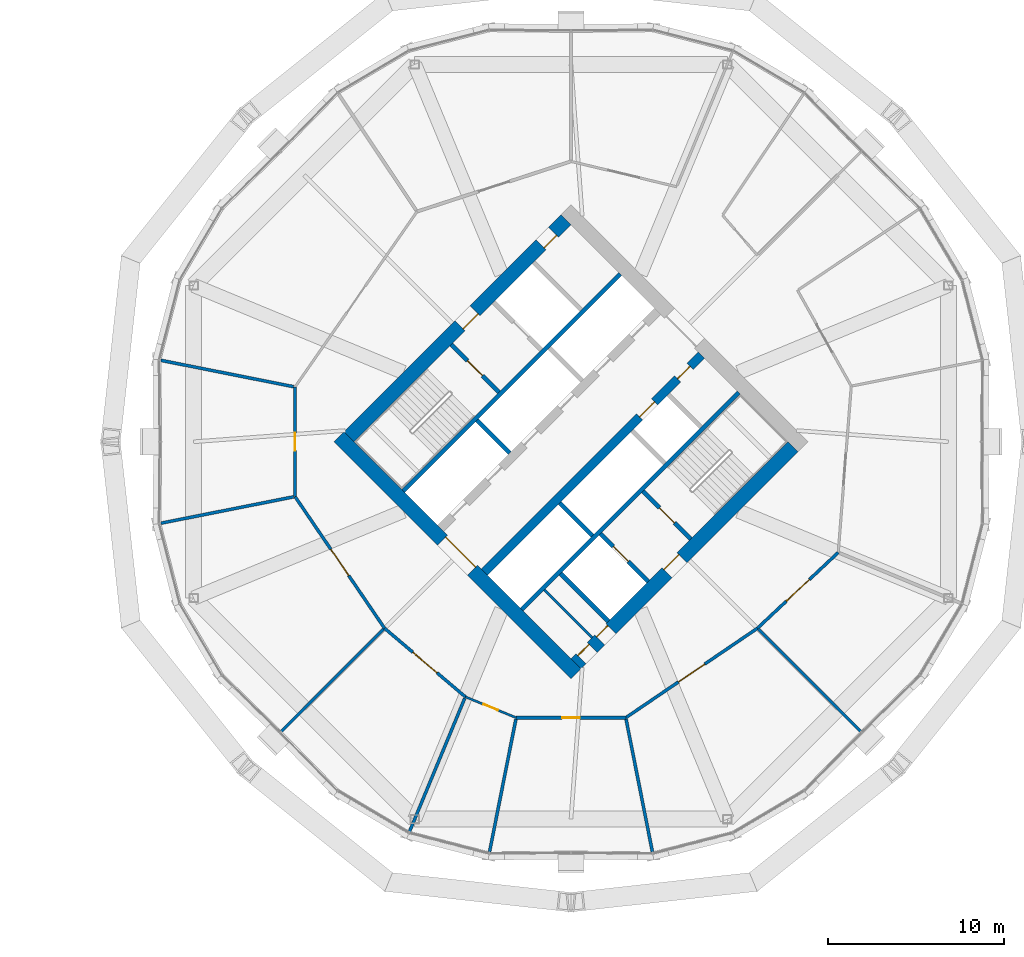
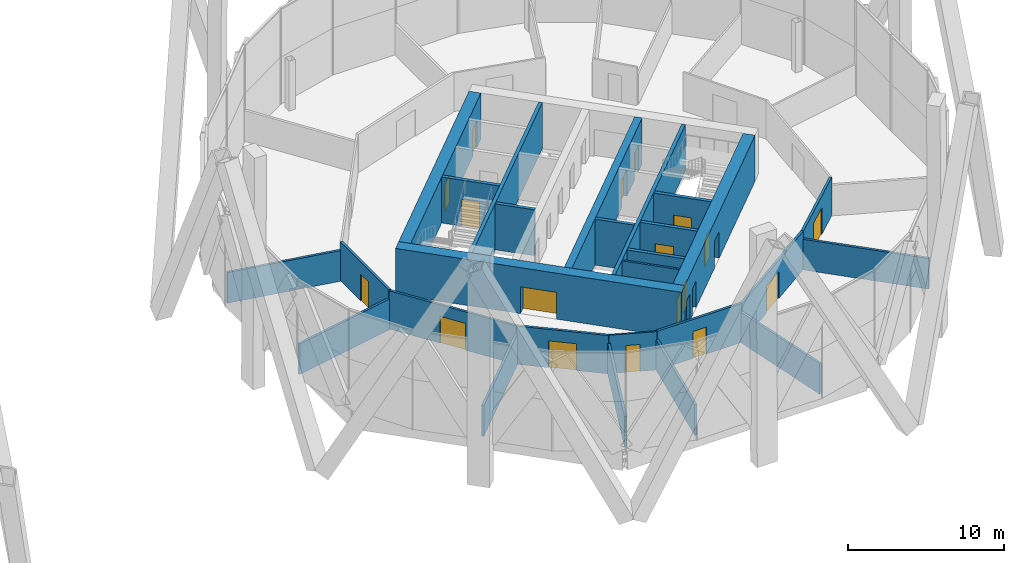
# One storey, part 24 of 30: 27 walls, 18 doors, 18 openings.
"""IFC4 building model written with IfcOpenShell, lengths in metres."""

from ifc_helpers import new_model, si_unit, direction, frame, frame_2d, origin, place, context, subcontext, project, spatial, rectangle, extrude, material, layer, layer_set, type_object, element, fill, save


model = new_model("IFC4")

# Units and contexts
model_context = context("Model", 3, precision=1e-05, world=origin(), true_north=direction((0.0, 1.0)))
body_context = subcontext(model_context, "Body", "Model", "MODEL_VIEW")
ifc_project = project(units=[si_unit("LENGTHUNIT", "METRE"), si_unit("AREAUNIT", "SQUARE_METRE"), si_unit("VOLUMEUNIT", "CUBIC_METRE"), si_unit("PLANEANGLEUNIT", "RADIAN"), si_unit("MASSUNIT", "GRAM", prefix="KILO")], contexts=[model_context])

# Site, building, storey
site_placement = place(None, origin())
site = spatial("IfcSite", under=ifc_project, at=site_placement, CompositionType="ELEMENT")
building_placement = place(site_placement, origin())
building = spatial("IfcBuilding", under=site, at=building_placement, Name="Ogive Gate Towers", CompositionType="ELEMENT")
storey_placement = place(building_placement, frame((0.0, 0.0, 99.60009765625)))
storey = spatial("IfcBuildingStorey", under=building, at=storey_placement, Name="L23", CompositionType="ELEMENT", Elevation=99.60009765625)

# Walls
ifc_material_1 = material(Name="Gypsum board acoustic partition")
ifc_layer_1 = layer(ifc_material_1, 0.175048828125)
ifc_layer_set_1 = layer_set([ifc_layer_1], Name="Acoustic partition 175")
wall_type_1 = type_object("IfcWallType", Name="Acoustic partition 175", PredefinedType="PARTITIONING", material=ifc_layer_set_1)
for number, where, z_axis, x_axis, name in (
    (1, (12.74462890625, 4.6181640625, 0.0), (0.0, 0.0, 1.0), (0.980847919534, -0.1947751492, 0.0), "Partition T2-L23-008"),
    (2, (12.74462890625, -4.6181640625, 0.0), (0.0, 0.0, 1.0), (0.980847919534, 0.1947751492, 0.0), "Partition T2-L23-009"),
):
    element("IfcWall", number, at=place(storey_placement, frame(where, z_axis=z_axis, x_axis=x_axis)), inside=storey, type_object=wall_type_1, Name=name, PredefinedType="PARTITIONING", context=body_context, shape_type="SweptSolid", body=[
        extrude(rectangle(XDim=7.668701171875, YDim=0.175048828125, at=frame_2d((3.83447265625, 0.0))), origin(), (0.0, 0.0, 1.0), 2.39990234375),
    ])
wall_1_placement = place(storey_placement, frame((19.478759765625, -16.521240234375, 0.0), z_axis=(0.0, 0.0, 1.0), x_axis=(0.707106781187, 0.707106781187, 0.0)))
element("IfcWall", 3, at=wall_1_placement, inside=storey, type_object=wall_type_1, Name="Partition T2-L23-010", PredefinedType="PARTITIONING", context=body_context, shape_type="SweptSolid", body=[
    extrude(rectangle(XDim=8.323974609375, YDim=0.175048828125, at=frame_2d((4.162109375, 0.0))), origin(), (0.0, 0.0, 1.0), 2.39990234375),
])
wall_2_placement = place(storey_placement, frame((26.818115234375, -22.1669921875, 0.0), z_axis=(0.0, 0.0, 1.0), x_axis=(0.382692348895, 0.923875839113, 0.0)))
element("IfcWall", 4, at=wall_2_placement, inside=storey, type_object=wall_type_1, Name="Partition T2-L23-011", PredefinedType="PARTITIONING", context=body_context, shape_type="SweptSolid", body=[
    extrude(rectangle(XDim=8.251953125, YDim=0.175048828125, at=frame_2d((4.1259765625, 0.0))), origin(), (0.0, 0.0, 1.0), 2.39990234375),
])
for number, where, z_axis, x_axis, name in (
    (5, (31.3818359375, -23.25537109375, 0.0), (0.0, 0.0, 1.0), (0.1947751492, 0.980847919534, 0.0), "Partition T2-L23-012"),
    (6, (40.6181640625, -23.25537109375, 0.0), (0.0, 0.0, 1.0), (-0.1947751492, 0.980847919534, 0.0), "Partition T2-L23-013"),
):
    element("IfcWall", number, at=place(storey_placement, frame(where, z_axis=z_axis, x_axis=x_axis)), inside=storey, type_object=wall_type_1, Name=name, PredefinedType="PARTITIONING", context=body_context, shape_type="SweptSolid", body=[
        extrude(rectangle(XDim=7.668701171875, YDim=0.175048828125, at=frame_2d((3.83447265625, 0.0))), origin(), (0.0, 0.0, 1.0), 2.39990234375),
    ])
wall_3_placement = place(storey_placement, frame((52.521240234375, -16.521240234375, 0.0), z_axis=(0.0, 0.0, 1.0), x_axis=(-0.707106781187, 0.707106781187, 0.0)))
element("IfcWall", 7, at=wall_3_placement, inside=storey, type_object=wall_type_1, Name="Partition T2-L23-014", PredefinedType="PARTITIONING", context=body_context, shape_type="SweptSolid", body=[
    extrude(rectangle(XDim=8.323974609375, YDim=0.175048828125, at=frame_2d((4.162109375, 0.0))), origin(), (0.0, 0.0, 1.0), 2.39990234375),
])

# Wall, opening, door
wall_4_placement = place(storey_placement, frame((20.35205078125, 3.107421875, 0.0), z_axis=(0.0, 0.0, 1.0), x_axis=(0.0, -1.0, 0.0)))
wall_4 = element("IfcWall", 8, at=wall_4_placement, inside=storey, type_object=wall_type_1, Name="Partition T2-L23-020", PredefinedType="PARTITIONING", context=body_context, shape_type="SweptSolid", body=[
    extrude(rectangle(XDim=6.21484375, YDim=0.175048828125, at=frame_2d((3.107421875, 0.0))), origin(), (0.0, 0.0, 1.0), 3.0498046875),
])
opening_1_placement = place(wall_4_placement, frame((2.60693359375, 0.0, 0.0)))
opening_1 = element("IfcOpeningElement", 9, at=opening_1_placement, cuts=wall_4, Name="Opening T2-L23-D05", PredefinedType="OPENING", context=body_context, shape_type="SweptSolid", body=[
    extrude(rectangle(XDim=1.0, YDim=2.10009765625, at=frame_2d((0.5, 1.050048828125))), frame((0.0, 0.09765625, 0.0), z_axis=(0.0, -1.0, 0.0), x_axis=(1.0, 0.0, 0.0)), (0.0, 0.0, 1.0), 0.195068359375),
])
ifc_material_2 = material(Name="Timber door", Category="wood")
door_type_1 = type_object("IfcDoorType", Name="Door 1000", OperationType="NOTDEFINED", PredefinedType="DOOR", material=ifc_material_2)
door_1_placement = place(opening_1_placement, origin())
door_1 = element("IfcDoor", 10, at=door_1_placement, inside=storey, type_object=door_type_1, Name="Door T2-L23-D05", OperationType="SINGLE_SWING_RIGHT", OverallHeight=2.10009765625, OverallWidth=1.0, PredefinedType="DOOR", context=body_context, shape_type="SweptSolid", body=[
    extrude(rectangle(XDim=1.0, YDim=2.10009765625, at=frame_2d((0.5, 1.050048828125))), frame((0.0, 0.02490234375, 0.0), z_axis=(0.0, -1.0, 0.0), x_axis=(1.0, 0.0, 0.0)), (0.0, 0.0, 1.0), 0.050048828125),
])
fill(opening_1, door_1)

wall_5_placement = place(storey_placement, frame((20.35205078125, -3.107421875, 0.0), z_axis=(0.0, 0.0, 1.0), x_axis=(0.562123594144, -0.827053241882, 0.0)))
wall_5 = element("IfcWall", 11, at=wall_5_placement, inside=storey, type_object=wall_type_1, Name="Partition T2-L23-021", PredefinedType="PARTITIONING", context=body_context, shape_type="SweptSolid", body=[
    extrude(rectangle(XDim=9.02734375, YDim=0.175048828125, at=frame_2d((4.513671875, 0.0))), origin(), (0.0, 0.0, 1.0), 3.0),
])
opening_2_placement = place(wall_5_placement, frame((3.614013671875, 0.0, 0.0)))
opening_2 = element("IfcOpeningElement", 12, at=opening_2_placement, cuts=wall_5, Name="Opening T2-L23-D06", PredefinedType="OPENING", context=body_context, shape_type="SweptSolid", body=[
    extrude(rectangle(XDim=1.800048828125, YDim=2.10009765625, at=frame_2d((0.89990234375, 1.050048828125))), frame((0.0, 0.09765625, 0.0), z_axis=(0.0, -1.0, 0.0), x_axis=(1.0, 0.0, 0.0)), (0.0, 0.0, 1.0), 0.195068359375),
])
door_type_2 = type_object("IfcDoorType", Name="Door pair 1800", OperationType="NOTDEFINED", PredefinedType="DOOR", material=ifc_material_2)
door_2_placement = place(opening_2_placement, origin())
door_2 = element("IfcDoor", 13, at=door_2_placement, inside=storey, type_object=door_type_2, Name="Door T2-L23-D06", OperationType="DOUBLE_DOOR_DOUBLE_SWING", OverallHeight=2.10009765625, OverallWidth=1.800048828125, PredefinedType="DOOR", context=body_context, shape_type="SweptSolid", body=[
    extrude(rectangle(XDim=1.800048828125, YDim=2.10009765625, at=frame_2d((0.89990234375, 1.050048828125))), frame((0.0, 0.02490234375, 0.0), z_axis=(0.0, -1.0, 0.0), x_axis=(1.0, 0.0, 0.0)), (0.0, 0.0, 1.0), 0.050048828125),
])
fill(opening_2, door_2)

wall_6_placement = place(storey_placement, frame((25.426513671875, -10.573486328125, 0.0), z_axis=(0.0, 0.0, 1.0), x_axis=(0.762484239103, -0.647006789083, 0.0)))
wall_6 = element("IfcWall", 14, at=wall_6_placement, inside=storey, type_object=wall_type_1, Name="Partition T2-L23-022", PredefinedType="PARTITIONING", context=body_context, shape_type="SweptSolid", body=[
    extrude(rectangle(XDim=6.0107421875, YDim=0.175048828125, at=frame_2d((3.00537109375, 0.0))), origin(), (0.0, 0.0, 1.0), 3.0),
])
opening_3_placement = place(wall_6_placement, frame((2.10498046875, 0.0, 0.0)))
opening_3 = element("IfcOpeningElement", 15, at=opening_3_placement, cuts=wall_6, Name="Opening T2-L23-D07", PredefinedType="OPENING", context=body_context, shape_type="SweptSolid", body=[
    extrude(rectangle(XDim=1.800048828125, YDim=2.10009765625, at=frame_2d((0.89990234375, 1.050048828125))), frame((0.0, 0.09765625, 0.0), z_axis=(0.0, -1.0, 0.0), x_axis=(1.0, 0.0, 0.0)), (0.0, 0.0, 1.0), 0.195068359375),
])
door_3_placement = place(opening_3_placement, origin())
door_3 = element("IfcDoor", 16, at=door_3_placement, inside=storey, type_object=door_type_2, Name="Door T2-L23-D07", OperationType="DOUBLE_DOOR_DOUBLE_SWING", OverallHeight=2.10009765625, OverallWidth=1.800048828125, PredefinedType="DOOR", context=body_context, shape_type="SweptSolid", body=[
    extrude(rectangle(XDim=1.800048828125, YDim=2.10009765625, at=frame_2d((0.89990234375, 1.050048828125))), frame((0.0, 0.02490234375, 0.0), z_axis=(0.0, -1.0, 0.0), x_axis=(1.0, 0.0, 0.0)), (0.0, 0.0, 1.0), 0.050048828125),
])
fill(opening_3, door_3)

wall_7_placement = place(storey_placement, frame((32.892578125, -15.64794921875, 0.0), z_axis=(0.0, 0.0, 1.0), x_axis=(1.0, 0.0, 0.0)))
wall_7 = element("IfcWall", 17, at=wall_7_placement, inside=storey, type_object=wall_type_1, Name="Partition T2-L23-024", PredefinedType="PARTITIONING", context=body_context, shape_type="SweptSolid", body=[
    extrude(rectangle(XDim=6.21484375, YDim=0.175048828125, at=frame_2d((3.107421875, 0.0))), origin(), (0.0, 0.0, 1.0), 3.0498046875),
])
opening_4_placement = place(wall_7_placement, frame((2.60693359375, 0.0, 0.0)))
opening_4 = element("IfcOpeningElement", 18, at=opening_4_placement, cuts=wall_7, Name="Opening T2-L23-D09", PredefinedType="OPENING", context=body_context, shape_type="SweptSolid", body=[
    extrude(rectangle(XDim=1.0, YDim=2.10009765625, at=frame_2d((0.5, 1.050048828125))), frame((0.0, 0.09765625, 0.0), z_axis=(0.0, -1.0, 0.0), x_axis=(1.0, 0.0, 0.0)), (0.0, 0.0, 1.0), 0.195068359375),
])
door_4_placement = place(opening_4_placement, origin())
door_4 = element("IfcDoor", 19, at=door_4_placement, inside=storey, type_object=door_type_1, Name="Door T2-L23-D09", OperationType="SINGLE_SWING_RIGHT", OverallHeight=2.10009765625, OverallWidth=1.0, PredefinedType="DOOR", context=body_context, shape_type="SweptSolid", body=[
    extrude(rectangle(XDim=1.0, YDim=2.10009765625, at=frame_2d((0.5, 1.050048828125))), frame((0.0, 0.02490234375, 0.0), z_axis=(0.0, -1.0, 0.0), x_axis=(1.0, 0.0, 0.0)), (0.0, 0.0, 1.0), 0.050048828125),
])
fill(opening_4, door_4)

wall_8_placement = place(storey_placement, frame((39.107421875, -15.64794921875, 0.0), z_axis=(0.0, 0.0, 1.0), x_axis=(0.827053241882, 0.562123594144, 0.0)))
wall_8 = element("IfcWall", 20, at=wall_8_placement, inside=storey, type_object=wall_type_1, Name="Partition T2-L23-025", PredefinedType="PARTITIONING", context=body_context, shape_type="SweptSolid", body=[
    extrude(rectangle(XDim=9.02734375, YDim=0.175048828125, at=frame_2d((4.513671875, 0.0))), origin(), (0.0, 0.0, 1.0), 3.0),
])
opening_5_placement = place(wall_8_placement, frame((3.614013671875, 0.0, 0.0)))
opening_5 = element("IfcOpeningElement", 21, at=opening_5_placement, cuts=wall_8, Name="Opening T2-L23-D10", PredefinedType="OPENING", context=body_context, shape_type="SweptSolid", body=[
    extrude(rectangle(XDim=1.800048828125, YDim=2.10009765625, at=frame_2d((0.89990234375, 1.050048828125))), frame((0.0, 0.09765625, 0.0), z_axis=(0.0, -1.0, 0.0), x_axis=(1.0, 0.0, 0.0)), (0.0, 0.0, 1.0), 0.195068359375),
])
door_5_placement = place(opening_5_placement, origin())
door_5 = element("IfcDoor", 22, at=door_5_placement, inside=storey, type_object=door_type_2, Name="Door T2-L23-D10", OperationType="DOUBLE_DOOR_DOUBLE_SWING", OverallHeight=2.10009765625, OverallWidth=1.800048828125, PredefinedType="DOOR", context=body_context, shape_type="SweptSolid", body=[
    extrude(rectangle(XDim=1.800048828125, YDim=2.10009765625, at=frame_2d((0.89990234375, 1.050048828125))), frame((0.0, 0.02490234375, 0.0), z_axis=(0.0, -1.0, 0.0), x_axis=(1.0, 0.0, 0.0)), (0.0, 0.0, 1.0), 0.050048828125),
])
fill(opening_5, door_5)

wall_9_placement = place(storey_placement, frame((46.573486328125, -10.573486328125, 0.0), z_axis=(0.0, 0.0, 1.0), x_axis=(0.729499624655, 0.683981211458, 0.0)))
wall_9 = element("IfcWall", 23, at=wall_9_placement, inside=storey, type_object=wall_type_1, Name="Partition T2-L23-026", PredefinedType="PARTITIONING", context=body_context, shape_type="SweptSolid", body=[
    extrude(rectangle(XDim=6.28076171875, YDim=0.175048828125, at=frame_2d((3.140380859375, 0.0))), origin(), (0.0, 0.0, 1.0), 3.0),
])
opening_6_placement = place(wall_9_placement, frame((2.239990234375, 0.0, 0.0)))
opening_6 = element("IfcOpeningElement", 24, at=opening_6_placement, cuts=wall_9, Name="Opening T2-L23-D11", PredefinedType="OPENING", context=body_context, shape_type="SweptSolid", body=[
    extrude(rectangle(XDim=1.800048828125, YDim=2.10009765625, at=frame_2d((0.89990234375, 1.050048828125))), frame((0.0, 0.09765625, 0.0), z_axis=(0.0, -1.0, 0.0), x_axis=(1.0, 0.0, 0.0)), (0.0, 0.0, 1.0), 0.195068359375),
])
door_6_placement = place(opening_6_placement, origin())
door_6 = element("IfcDoor", 25, at=door_6_placement, inside=storey, type_object=door_type_2, Name="Door T2-L23-D11", OperationType="DOUBLE_DOOR_DOUBLE_SWING", OverallHeight=2.10009765625, OverallWidth=1.800048828125, PredefinedType="DOOR", context=body_context, shape_type="SweptSolid", body=[
    extrude(rectangle(XDim=1.800048828125, YDim=2.10009765625, at=frame_2d((0.89990234375, 1.050048828125))), frame((0.0, 0.02490234375, 0.0), z_axis=(0.0, -1.0, 0.0), x_axis=(1.0, 0.0, 0.0)), (0.0, 0.0, 1.0), 0.050048828125),
])
fill(opening_6, door_6)

# Wall, openings, doors
ifc_material_3 = material(Name="Concrete C60/75", Category="concrete")
ifc_layer_2 = layer(ifc_material_3, 0.800048828125)
ifc_layer_set_2 = layer_set([ifc_layer_2], Name="Core wall 800 mm")
wall_type_2 = type_object("IfcWallType", Name="Core wall 800 mm", PredefinedType="SHEAR", material=ifc_layer_set_2)
wall_10_placement = place(storey_placement, frame((36.28271484375, -12.58642578125, 0.0), z_axis=(0.0, 0.0, 1.0), x_axis=(0.707106781187, 0.707106781187, 0.0)))
wall_10 = element("IfcWall", 26, at=wall_10_placement, inside=storey, type_object=wall_type_2, Name="T2 L23 Core wall 800 mm", PredefinedType="SHEAR", context=body_context, shape_type="SweptSolid", body=[
    extrude(rectangle(XDim=17.400146484375, YDim=0.800048828125, at=frame_2d((8.7001953125, 0.0))), origin(), (0.0, 0.0, 1.0), 3.599853515625),
])
opening_7_placement = place(wall_10_placement, frame((7.300048828125, 0.0, 0.0)))
opening_7 = element("IfcOpeningElement", 27, at=opening_7_placement, cuts=wall_10, Name="Opening KD-T2-L23-16", PredefinedType="OPENING", context=body_context, shape_type="SweptSolid", body=[
    extrude(rectangle(XDim=1.199951171875, YDim=2.10009765625, at=frame_2d((0.60009765625, 1.050048828125))), frame((0.0, 0.41015625, 0.0), z_axis=(0.0, -1.0, 0.0), x_axis=(1.0, 0.0, 0.0)), (0.0, 0.0, 1.0), 0.820068359375),
])
opening_8_placement = place(wall_10_placement, frame((0.39990234375, 0.0, 0.0)))
opening_8 = element("IfcOpeningElement", 28, at=opening_8_placement, cuts=wall_10, Name="Opening KD-T2-L23-18", PredefinedType="OPENING", context=body_context, shape_type="SweptSolid", body=[
    extrude(rectangle(XDim=0.89990234375, YDim=2.10009765625, at=frame_2d((0.449951171875, 1.050048828125))), frame((0.0, 0.41015625, 0.0), z_axis=(0.0, -1.0, 0.0), x_axis=(1.0, 0.0, 0.0)), (0.0, 0.0, 1.0), 0.820068359375),
])
opening_9_placement = place(wall_10_placement, frame((1.89990234375, 0.0, 0.0)))
opening_9 = element("IfcOpeningElement", 29, at=opening_9_placement, cuts=wall_10, Name="Opening KD-T2-L23-19", PredefinedType="OPENING", context=body_context, shape_type="SweptSolid", body=[
    extrude(rectangle(XDim=0.89990234375, YDim=2.10009765625, at=frame_2d((0.449951171875, 1.050048828125))), frame((0.0, 0.41015625, 0.0), z_axis=(0.0, -1.0, 0.0), x_axis=(1.0, 0.0, 0.0)), (0.0, 0.0, 1.0), 0.820068359375),
])
door_type_3 = type_object("IfcDoorType", Name="Core WC door 900 x 2100", OperationType="NOTDEFINED", PredefinedType="DOOR", material=ifc_material_2)
door_7_placement = place(opening_8_placement, origin())
door_7 = element("IfcDoor", 30, at=door_7_placement, inside=storey, type_object=door_type_3, Name="T2 L23 Core door", OperationType="SINGLE_SWING_LEFT", OverallHeight=2.10009765625, OverallWidth=0.89990234375, PredefinedType="DOOR", context=body_context, shape_type="SweptSolid", body=[
    extrude(rectangle(XDim=0.89990234375, YDim=2.10009765625, at=frame_2d((0.449951171875, 1.050048828125))), frame((0.0, 0.27490234375, 0.0), z_axis=(0.0, -1.0, 0.0), x_axis=(1.0, 0.0, 0.0)), (0.0, 0.0, 1.0), 0.050048828125),
])
fill(opening_8, door_7)
door_8_placement = place(opening_9_placement, origin())
door_8 = element("IfcDoor", 31, at=door_8_placement, inside=storey, type_object=door_type_3, Name="T2 L23 Core door", OperationType="SINGLE_SWING_RIGHT", OverallHeight=2.10009765625, OverallWidth=0.89990234375, PredefinedType="DOOR", context=body_context, shape_type="SweptSolid", body=[
    extrude(rectangle(XDim=0.89990234375, YDim=2.10009765625, at=frame_2d((0.449951171875, 1.050048828125))), frame((0.0, 0.27490234375, 0.0), z_axis=(0.0, -1.0, 0.0), x_axis=(1.0, 0.0, 0.0)), (0.0, 0.0, 1.0), 0.050048828125),
])
fill(opening_9, door_8)
ifc_material_4 = material(Name="Steel fire door", Category="steel")
door_type_4 = type_object("IfcDoorType", Name="Core door FD60S 1200 x 2100", OperationType="NOTDEFINED", PredefinedType="DOOR", material=ifc_material_4)
door_9_placement = place(opening_7_placement, origin())
door_9 = element("IfcDoor", 32, at=door_9_placement, inside=storey, type_object=door_type_4, Name="T2 L23 Fire-fighting lobby door", OperationType="SINGLE_SWING_LEFT", OverallHeight=2.10009765625, OverallWidth=1.199951171875, PredefinedType="DOOR", context=body_context, shape_type="SweptSolid", body=[
    extrude(rectangle(XDim=1.199951171875, YDim=2.10009765625, at=frame_2d((0.60009765625, 1.050048828125))), frame((0.0, 0.27490234375, 0.0), z_axis=(0.0, -1.0, 0.0), x_axis=(1.0, 0.0, 0.0)), (0.0, 0.0, 1.0), 0.050048828125),
])
fill(opening_7, door_9)

wall_11_placement = place(storey_placement, frame((23.41357421875, 0.28271484375, 0.0), z_axis=(0.0, 0.0, 1.0), x_axis=(0.707106781187, 0.707106781187, 0.0)))
wall_11 = element("IfcWall", 33, at=wall_11_placement, inside=storey, type_object=wall_type_2, Name="T2 L23 Core wall 800 mm", PredefinedType="SHEAR", context=body_context, shape_type="SweptSolid", body=[
    extrude(rectangle(XDim=17.400146484375, YDim=0.800048828125, at=frame_2d((8.7001953125, 0.0))), origin(), (0.0, 0.0, 1.0), 3.599853515625),
])
opening_10_placement = place(wall_11_placement, frame((8.89990234375, 0.0, 0.0)))
opening_10 = element("IfcOpeningElement", 34, at=opening_10_placement, cuts=wall_11, Name="Opening KD-T2-L23-15", PredefinedType="OPENING", context=body_context, shape_type="SweptSolid", body=[
    extrude(rectangle(XDim=1.199951171875, YDim=2.10009765625, at=frame_2d((0.60009765625, 1.050048828125))), frame((0.0, 0.41015625, 0.0), z_axis=(0.0, -1.0, 0.0), x_axis=(1.0, 0.0, 0.0)), (0.0, 0.0, 1.0), 0.820068359375),
])
opening_11_placement = place(wall_11_placement, frame((15.39990234375, 0.0, 0.0)))
opening_11 = element("IfcOpeningElement", 35, at=opening_11_placement, cuts=wall_11, Name="Opening KD-T2-L23-17", PredefinedType="OPENING", context=body_context, shape_type="SweptSolid", body=[
    extrude(rectangle(XDim=1.0, YDim=2.10009765625, at=frame_2d((0.5, 1.050048828125))), frame((0.0, 0.41015625, 0.0), z_axis=(0.0, -1.0, 0.0), x_axis=(1.0, 0.0, 0.0)), (0.0, 0.0, 1.0), 0.820068359375),
])
door_type_5 = type_object("IfcDoorType", Name="Accessible WC door 1000 x 2100", OperationType="NOTDEFINED", PredefinedType="DOOR", material=ifc_material_2)
door_10_placement = place(opening_11_placement, origin())
door_10 = element("IfcDoor", 36, at=door_10_placement, inside=storey, type_object=door_type_5, Name="T2 L23 Core door", OperationType="SINGLE_SWING_RIGHT", OverallHeight=2.10009765625, OverallWidth=1.0, PredefinedType="DOOR", context=body_context, shape_type="SweptSolid", body=[
    extrude(rectangle(XDim=1.0, YDim=2.10009765625, at=frame_2d((0.5, 1.050048828125))), frame((0.0, -0.22509765625, 0.0), z_axis=(0.0, -1.0, 0.0), x_axis=(1.0, 0.0, 0.0)), (0.0, 0.0, 1.0), 0.050048828125),
])
fill(opening_11, door_10)
door_11_placement = place(opening_10_placement, origin())
door_11 = element("IfcDoor", 37, at=door_11_placement, inside=storey, type_object=door_type_4, Name="T2 L23 Fire-fighting lobby door", OperationType="SINGLE_SWING_RIGHT", OverallHeight=2.10009765625, OverallWidth=1.199951171875, PredefinedType="DOOR", context=body_context, shape_type="SweptSolid", body=[
    extrude(rectangle(XDim=1.199951171875, YDim=2.10009765625, at=frame_2d((0.60009765625, 1.050048828125))), frame((0.0, -0.22509765625, 0.0), z_axis=(0.0, -1.0, 0.0), x_axis=(1.0, 0.0, 0.0)), (0.0, 0.0, 1.0), 0.050048828125),
])
fill(opening_10, door_11)

# Wall, opening, door
wall_12_placement = place(storey_placement, frame((36.28271484375, -13.152099609375, 0.0), z_axis=(0.0, 0.0, 1.0), x_axis=(-0.707106781187, 0.707106781187, 0.0)))
wall_12 = element("IfcWall", 38, at=wall_12_placement, inside=storey, type_object=wall_type_2, Name="T2 L23 Core wall 800 mm", PredefinedType="SHEAR", context=body_context, shape_type="SweptSolid", body=[
    extrude(rectangle(XDim=18.999755859375, YDim=0.800048828125, at=frame_2d((9.5, 0.0))), origin(), (0.0, 0.0, 1.0), 3.599853515625),
])
opening_12_placement = place(wall_12_placement, frame((8.300048828125, 0.0, 0.0)))
opening_12 = element("IfcOpeningElement", 39, at=opening_12_placement, cuts=wall_12, Name="Opening KD-T2-L23-01", PredefinedType="OPENING", context=body_context, shape_type="SweptSolid", body=[
    extrude(rectangle(XDim=2.39990234375, YDim=2.10009765625, at=frame_2d((1.199951171875, 1.050048828125))), frame((0.0, 0.41015625, 0.0), z_axis=(0.0, -1.0, 0.0), x_axis=(1.0, 0.0, 0.0)), (0.0, 0.0, 1.0), 0.820068359375),
])
door_type_6 = type_object("IfcDoorType", Name="Core double door FD60S 2400 x 2100", OperationType="DOUBLE_DOOR_SINGLE_SWING", PredefinedType="DOOR", material=ifc_material_4)
door_12_placement = place(opening_12_placement, origin())
door_12 = element("IfcDoor", 40, at=door_12_placement, inside=storey, type_object=door_type_6, Name="T2 L23 Core door double", OperationType="DOUBLE_DOOR_SINGLE_SWING", OverallHeight=2.10009765625, OverallWidth=2.39990234375, PredefinedType="DOOR", context=body_context, shape_type="SweptSolid", body=[
    extrude(rectangle(XDim=2.39990234375, YDim=2.10009765625, at=frame_2d((1.199951171875, 1.050048828125))), frame((0.0, -0.22509765625, 0.0), z_axis=(0.0, -1.0, 0.0), x_axis=(1.0, 0.0, 0.0)), (0.0, 0.0, 1.0), 0.050048828125),
])
fill(opening_12, door_12)

ifc_material_5 = material(Name="Gypsum board partition")
ifc_layer_3 = layer(ifc_material_5, 0.125)
ifc_layer_set_3 = layer_set([ifc_layer_3], Name="Partition 125")
wall_type_3 = type_object("IfcWallType", Name="Partition 125", PredefinedType="PARTITIONING", material=ifc_layer_set_3)
wall_13_placement = place(storey_placement, frame((30.009521484375, -14.46240234375, 0.0), z_axis=(0.0, 0.0, 1.0), x_axis=(0.924858033966, -0.380312525442, 0.0)))
wall_13 = element("IfcWall", 41, at=wall_13_placement, inside=storey, type_object=wall_type_3, Name="Partition T2-L23-023", PredefinedType="PARTITIONING", context=body_context, shape_type="SweptSolid", body=[
    extrude(rectangle(XDim=3.1171875, YDim=0.125, at=frame_2d((1.55859375, 0.0))), origin(), (0.0, 0.0, 1.0), 3.010009765625),
])
opening_13_placement = place(wall_13_placement, frame((1.10888671875, 0.0, 0.0)))
opening_13 = element("IfcOpeningElement", 42, at=opening_13_placement, cuts=wall_13, Name="Opening T2-L23-D08", PredefinedType="OPENING", context=body_context, shape_type="SweptSolid", body=[
    extrude(rectangle(XDim=0.89990234375, YDim=2.10009765625, at=frame_2d((0.449951171875, 1.050048828125))), frame((0.0, 0.072509765625, 0.0), z_axis=(0.0, -1.0, 0.0), x_axis=(1.0, 0.0, 0.0)), (0.0, 0.0, 1.0), 0.14501953125),
])
door_type_7 = type_object("IfcDoorType", Name="Door 900", OperationType="NOTDEFINED", PredefinedType="DOOR", material=ifc_material_2)
door_13_placement = place(opening_13_placement, origin())
door_13 = element("IfcDoor", 43, at=door_13_placement, inside=storey, type_object=door_type_7, Name="Door T2-L23-D08", OperationType="SINGLE_SWING_LEFT", OverallHeight=2.10009765625, OverallWidth=0.89990234375, PredefinedType="DOOR", context=body_context, shape_type="SweptSolid", body=[
    extrude(rectangle(XDim=0.89990234375, YDim=2.10009765625, at=frame_2d((0.449951171875, 1.050048828125))), frame((0.0, 0.02490234375, 0.0), z_axis=(0.0, -1.0, 0.0), x_axis=(1.0, 0.0, 0.0)), (0.0, 0.0, 1.0), 0.050048828125),
])
fill(opening_13, door_13)

# Walls
ifc_layer_4 = layer(ifc_material_5, 0.14990234375)
ifc_layer_set_4 = layer_set([ifc_layer_4], Name="Room partition 150 mm")
wall_type_4 = type_object("IfcWallType", Name="Room partition 150 mm", PredefinedType="PARTITIONING", material=ifc_layer_set_4)
wall_14_placement = place(storey_placement, frame((37.2021484375, -11.1015625, 0.0), z_axis=(0.0, 0.0, 1.0), x_axis=(-0.707138693938, 0.707074866995, 0.0)))
element("IfcWall", 44, at=wall_14_placement, inside=storey, type_object=wall_type_4, Name="T2 L23 Room partition 150 mm", PredefinedType="PARTITIONING", context=body_context, shape_type="SweptSolid", body=[
    extrude(rectangle(XDim=3.824951171875, YDim=0.14990234375, at=frame_2d((1.91259765625, 0.0))), origin(), (0.0, 0.0, 1.0), 3.599853515625),
])
ifc_layer_5 = layer(ifc_material_3, 0.25)
ifc_layer_set_5 = layer_set([ifc_layer_5], Name="Shaft wall 250 mm")
wall_type_5 = type_object("IfcWallType", Name="Shaft wall 250 mm", PredefinedType="SHEAR", material=ifc_layer_set_5)
for number, where, z_axis, x_axis, name in (
    (45, (33.206787109375, -9.510498046875, 0.0), (0.0, 0.0, 1.0), (0.707106781187, 0.707106781187, 0.0), "T2 L23 Shaft wall 250 mm"),
    (46, (26.489501953125, -2.793212890625, 0.0), (0.0, 0.0, 1.0), (0.707106781187, 0.707106781187, 0.0), "T2 L23 Shaft wall 250 mm"),
):
    element("IfcWall", number, at=place(storey_placement, frame(where, z_axis=z_axis, x_axis=x_axis)), inside=storey, type_object=wall_type_5, Name=name, PredefinedType="SHEAR", context=body_context, shape_type="SweptSolid", body=[
        extrude(rectangle(XDim=17.400146484375, YDim=0.25, at=frame_2d((8.7001953125, 0.0))), origin(), (0.0, 0.0, 1.0), 3.599853515625),
    ])
wall_15_placement = place(storey_placement, frame((38.121337890625, -10.182373046875, 0.0), z_axis=(0.0, 0.0, 1.0), x_axis=(-0.707138693938, 0.707074866995, 0.0)))
element("IfcWall", 47, at=wall_15_placement, inside=storey, type_object=wall_type_5, Name="T2 L23 Shaft wall 250 mm", PredefinedType="SHEAR", context=body_context, shape_type="SweptSolid", body=[
    extrude(rectangle(XDim=3.824951171875, YDim=0.25, at=frame_2d((1.91259765625, 0.0))), origin(), (0.0, 0.0, 1.0), 3.599853515625),
])
for number, where, z_axis, x_axis, name in (
    (48, (37.2197265625, -5.321044921875, 0.0), (0.0, 0.0, 1.0), (-0.707106781187, 0.707106781187, 0.0), "T2 L23 Shaft wall 250 mm"),
    (49, (32.53515625, -0.636474609375, 0.0), (0.0, 0.0, 1.0), (-0.707106781187, 0.707106781187, 0.0), "T2 L23 Shaft wall 250 mm"),
):
    element("IfcWall", number, at=place(storey_placement, frame(where, z_axis=z_axis, x_axis=x_axis)), inside=storey, type_object=wall_type_5, Name=name, PredefinedType="SHEAR", context=body_context, shape_type="SweptSolid", body=[
        extrude(rectangle(XDim=2.625, YDim=0.25, at=frame_2d((1.3125, 0.0))), origin(), (0.0, 0.0, 1.0), 3.599853515625),
    ])

# Wall, opening, door
wall_16_placement = place(storey_placement, frame((40.384033203125, -7.919677734375, 0.0), z_axis=(0.0, 0.0, 1.0), x_axis=(-0.707074866995, 0.707138693938, 0.0)))
wall_16 = element("IfcWall", 50, at=wall_16_placement, inside=storey, type_object=wall_type_5, Name="T2 L23 Shaft wall 250 mm", PredefinedType="SHEAR", context=body_context, shape_type="SweptSolid", body=[
    extrude(rectangle(XDim=3.824951171875, YDim=0.25, at=frame_2d((1.91259765625, 0.0))), origin(), (0.0, 0.0, 1.0), 3.599853515625),
])
opening_14_placement = place(wall_16_placement, frame((1.60009765625, 0.0, 0.0)))
opening_14 = element("IfcOpeningElement", 51, at=opening_14_placement, cuts=wall_16, Name="Opening LD-T2-L23-11", PredefinedType="OPENING", context=body_context, shape_type="SweptSolid", body=[
    extrude(rectangle(XDim=1.199951171875, YDim=2.10009765625, at=frame_2d((0.60009765625, 1.050048828125))), frame((0.0, 0.135009765625, 0.0), z_axis=(0.0, -1.0, 0.0), x_axis=(1.0, 0.0, 0.0)), (0.0, 0.0, 1.0), 0.27001953125),
])
ifc_material_6 = material(Name="Stainless steel landing door", Category="steel")
door_type_8 = type_object("IfcDoorType", Name="Landing door 1200 x 2100", OperationType="SLIDING_TO_LEFT", PredefinedType="DOOR", material=ifc_material_6)
door_14_placement = place(opening_14_placement, origin())
door_14 = element("IfcDoor", 52, at=door_14_placement, inside=storey, type_object=door_type_8, Name="T2 L23 Lift landing door FF2", OperationType="SLIDING_TO_LEFT", OverallHeight=2.10009765625, OverallWidth=1.199951171875, PredefinedType="DOOR", context=body_context, shape_type="SweptSolid", body=[
    extrude(rectangle(XDim=1.199951171875, YDim=2.10009765625, at=frame_2d((0.60009765625, 1.050048828125))), frame((0.0, 0.02490234375, 0.0), z_axis=(0.0, -1.0, 0.0), x_axis=(1.0, 0.0, 0.0)), (0.0, 0.0, 1.0), 0.050048828125),
])
fill(opening_14, door_14)

wall_17_placement = place(storey_placement, frame((31.91650390625, 2.810791015625, 0.0), z_axis=(0.0, 0.0, 1.0), x_axis=(-0.707106781187, 0.707106781187, 0.0)))
wall_17 = element("IfcWall", 53, at=wall_17_placement, inside=storey, type_object=wall_type_5, Name="T2 L23 Shaft wall 250 mm", PredefinedType="SHEAR", context=body_context, shape_type="SweptSolid", body=[
    extrude(rectangle(XDim=3.824951171875, YDim=0.25, at=frame_2d((1.91259765625, 0.0))), origin(), (0.0, 0.0, 1.0), 3.599853515625),
])
opening_15_placement = place(wall_17_placement, frame((1.324951171875, 0.0, 0.0)))
opening_15 = element("IfcOpeningElement", 54, at=opening_15_placement, cuts=wall_17, Name="Opening KD-T2-L23-13", PredefinedType="OPENING", context=body_context, shape_type="SweptSolid", body=[
    extrude(rectangle(XDim=1.199951171875, YDim=2.10009765625, at=frame_2d((0.60009765625, 1.050048828125))), frame((0.0, 0.135009765625, 0.0), z_axis=(0.0, -1.0, 0.0), x_axis=(1.0, 0.0, 0.0)), (0.0, 0.0, 1.0), 0.27001953125),
])
door_15_placement = place(opening_15_placement, origin())
door_15 = element("IfcDoor", 55, at=door_15_placement, inside=storey, type_object=door_type_4, Name="T2 L23 Stair door", OperationType="SINGLE_SWING_RIGHT", OverallHeight=2.10009765625, OverallWidth=1.199951171875, PredefinedType="DOOR", context=body_context, shape_type="SweptSolid", body=[
    extrude(rectangle(XDim=1.199951171875, YDim=2.10009765625, at=frame_2d((0.60009765625, 1.050048828125))), frame((0.0, 0.02490234375, 0.0), z_axis=(0.0, -1.0, 0.0), x_axis=(1.0, 0.0, 0.0)), (0.0, 0.0, 1.0), 0.050048828125),
])
fill(opening_15, door_15)

wall_18_placement = place(storey_placement, frame((42.7880859375, -5.515380859375, 0.0), z_axis=(0.0, 0.0, 1.0), x_axis=(-0.707106781187, 0.707106781187, 0.0)))
wall_18 = element("IfcWall", 56, at=wall_18_placement, inside=storey, type_object=wall_type_5, Name="T2 L23 Shaft wall 250 mm", PredefinedType="SHEAR", context=body_context, shape_type="SweptSolid", body=[
    extrude(rectangle(XDim=3.824951171875, YDim=0.25, at=frame_2d((1.91259765625, 0.0))), origin(), (0.0, 0.0, 1.0), 3.599853515625),
])
opening_16_placement = place(wall_18_placement, frame((1.300048828125, 0.0, 0.0)))
opening_16 = element("IfcOpeningElement", 57, at=opening_16_placement, cuts=wall_18, Name="Opening KD-T2-L23-14", PredefinedType="OPENING", context=body_context, shape_type="SweptSolid", body=[
    extrude(rectangle(XDim=1.199951171875, YDim=2.10009765625, at=frame_2d((0.60009765625, 1.050048828125))), frame((0.0, 0.135009765625, 0.0), z_axis=(0.0, -1.0, 0.0), x_axis=(1.0, 0.0, 0.0)), (0.0, 0.0, 1.0), 0.27001953125),
])
door_16_placement = place(opening_16_placement, origin())
door_16 = element("IfcDoor", 58, at=door_16_placement, inside=storey, type_object=door_type_4, Name="T2 L23 Stair door", OperationType="SINGLE_SWING_LEFT", OverallHeight=2.10009765625, OverallWidth=1.199951171875, PredefinedType="DOOR", context=body_context, shape_type="SweptSolid", body=[
    extrude(rectangle(XDim=1.199951171875, YDim=2.10009765625, at=frame_2d((0.60009765625, 1.050048828125))), frame((0.0, 0.02490234375, 0.0), z_axis=(0.0, -1.0, 0.0), x_axis=(1.0, 0.0, 0.0)), (0.0, 0.0, 1.0), 0.050048828125),
])
fill(opening_16, door_16)

# Wall, openings, doors
ifc_layer_6 = layer(ifc_material_3, 0.5)
ifc_layer_set_6 = layer_set([ifc_layer_6], Name="Spine wall 500 mm")
wall_type_6 = type_object("IfcWallType", Name="Spine wall 500 mm", PredefinedType="SHEAR", material=ifc_layer_set_6)
wall_19_placement = place(storey_placement, frame((31.085693359375, -7.389404296875, 0.0), z_axis=(0.0, 0.0, 1.0), x_axis=(0.707106781187, 0.707106781187, 0.0)))
wall_19 = element("IfcWall", 59, at=wall_19_placement, inside=storey, type_object=wall_type_6, Name="T2 L23 Spine wall 500 mm", PredefinedType="SHEAR", context=body_context, shape_type="SweptSolid", body=[
    extrude(rectangle(XDim=17.400146484375, YDim=0.5, at=frame_2d((8.7001953125, 0.0))), origin(), (0.0, 0.0, 1.0), 3.599853515625),
])
opening_17_placement = place(wall_19_placement, frame((12.449951171875, 0.0, 0.0)))
opening_17 = element("IfcOpeningElement", 60, at=opening_17_placement, cuts=wall_19, Name="Opening LD-T2-L23-09", PredefinedType="OPENING", context=body_context, shape_type="SweptSolid", body=[
    extrude(rectangle(XDim=1.199951171875, YDim=2.10009765625, at=frame_2d((0.60009765625, 1.050048828125))), frame((0.0, 0.260009765625, 0.0), z_axis=(0.0, -1.0, 0.0), x_axis=(1.0, 0.0, 0.0)), (0.0, 0.0, 1.0), 0.52001953125),
])
opening_18_placement = place(wall_19_placement, frame((15.5, 0.0, 0.0)))
opening_18 = element("IfcOpeningElement", 61, at=opening_18_placement, cuts=wall_19, Name="Opening KD-T2-L23-12", PredefinedType="OPENING", context=body_context, shape_type="SweptSolid", body=[
    extrude(rectangle(XDim=1.0, YDim=2.10009765625, at=frame_2d((0.5, 1.050048828125))), frame((0.0, 0.260009765625, 0.0), z_axis=(0.0, -1.0, 0.0), x_axis=(1.0, 0.0, 0.0)), (0.0, 0.0, 1.0), 0.52001953125),
])
door_type_9 = type_object("IfcDoorType", Name="Core door FD60S 1000 x 2100", OperationType="NOTDEFINED", PredefinedType="DOOR", material=ifc_material_4)
door_17_placement = place(opening_18_placement, origin())
door_17 = element("IfcDoor", 62, at=door_17_placement, inside=storey, type_object=door_type_9, Name="T2 L23 Core door", OperationType="SINGLE_SWING_LEFT", OverallHeight=2.10009765625, OverallWidth=1.0, PredefinedType="DOOR", context=body_context, shape_type="SweptSolid", body=[
    extrude(rectangle(XDim=1.0, YDim=2.10009765625, at=frame_2d((0.5, 1.050048828125))), frame((0.0, 0.02490234375, 0.0), z_axis=(0.0, -1.0, 0.0), x_axis=(1.0, 0.0, 0.0)), (0.0, 0.0, 1.0), 0.050048828125),
])
fill(opening_18, door_17)
door_18_placement = place(opening_17_placement, origin())
door_18 = element("IfcDoor", 63, at=door_18_placement, inside=storey, type_object=door_type_8, Name="T2 L23 Lift landing door SVC", OperationType="SLIDING_TO_LEFT", OverallHeight=2.10009765625, OverallWidth=1.199951171875, PredefinedType="DOOR", context=body_context, shape_type="SweptSolid", body=[
    extrude(rectangle(XDim=1.199951171875, YDim=2.10009765625, at=frame_2d((0.60009765625, 1.050048828125))), frame((0.0, 0.02490234375, 0.0), z_axis=(0.0, -1.0, 0.0), x_axis=(1.0, 0.0, 0.0)), (0.0, 0.0, 1.0), 0.050048828125),
])
fill(opening_17, door_18)

save(model, "model.ifc")
